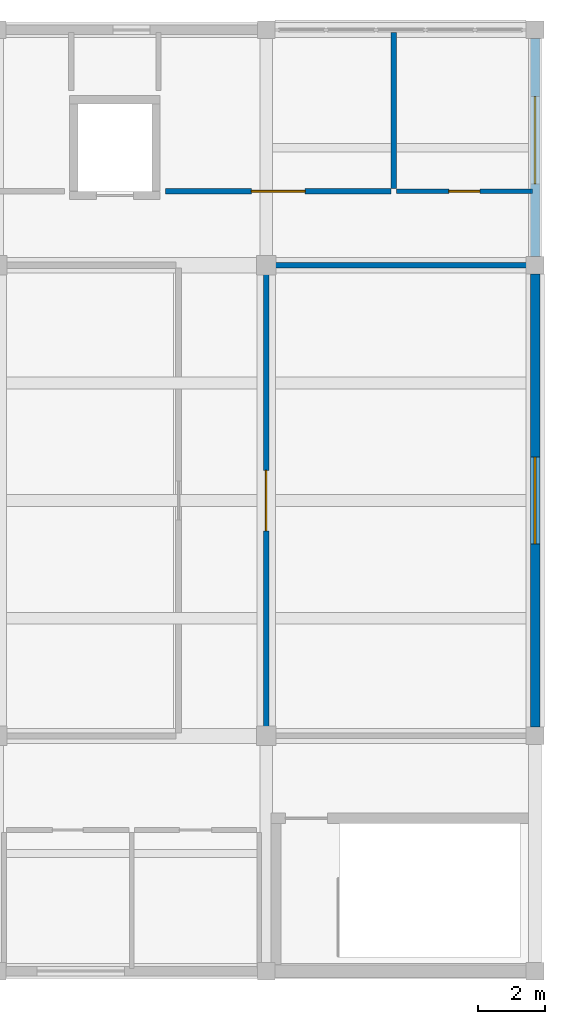
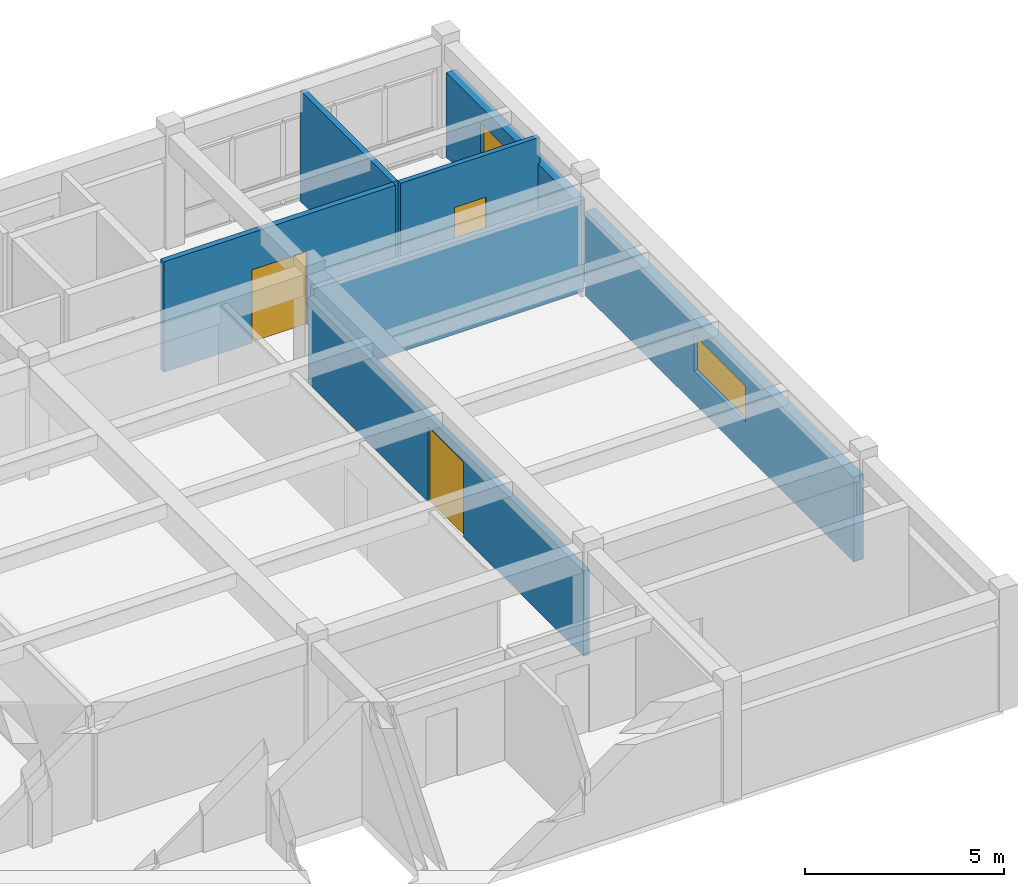
# One storey, part 6 of 7: 7 walls, 3 doors, 2 windows, 5 openings.
"""IFC4 building model written with IfcOpenShell, lengths in metres."""

import ifcopenshell
import ifcopenshell.guid

model = None  # the IFC model being written
_history = None  # IfcOwnerHistory: only IFC2X3 demands one
_inside = {}  # id of a spatial element -> (the spatial element, [elements in it])
_under = {}  # id of a project, library or spatial element -> (it, [spatial elements below it])
_declared = {}  # id of a project -> (the project, [libraries it declares])
_typed = {}  # id of a type object -> (the type object, [elements of that type])
_made_of = {}  # id of a material, layer set ... -> (it, [elements and type objects made of it])


def new_model(schema):
    """Start an empty IFC model of exactly this schema.

    Asked for "IFC4X3", IfcOpenShell would pick the latest addendum, in which some entities
    have other attributes; the version numbers below select the first issue.
    IFC2X3 requires an IfcOwnerHistory on every rooted entity: one is made here for all.
    """
    global model, _history
    if schema == "IFC4X3":
        model = ifcopenshell.file(schema_version=(4, 3, 0, 0))
    else:
        model = ifcopenshell.file(schema=schema)
    _inside.clear()
    _under.clear()
    _declared.clear()
    _typed.clear()
    _made_of.clear()
    _history = None
    if model.schema == "IFC2X3":
        org = make("IfcOrganization", Name="unknown")
        user = make(
            "IfcPersonAndOrganization",
            ThePerson=make("IfcPerson", FamilyName="unknown"),
            TheOrganization=org,
        )
        app = make(
            "IfcApplication",
            ApplicationDeveloper=org,
            Version="unknown",
            ApplicationFullName="unknown",
            ApplicationIdentifier="unknown",
        )
        _history = make(
            "IfcOwnerHistory",
            OwningUser=user,
            OwningApplication=app,
            ChangeAction="ADDED",
            CreationDate=0,
        )
    return model


def make(cls, **values):
    """One entity of the class cls with the attributes given. An attribute that is None is left unset."""
    return model.create_entity(
        cls, **{name: value for name, value in values.items() if value is not None}
    )


def rooted(cls, **values):
    """An entity with a GlobalId (a new one), such as an element, a storey or a relation."""
    return make(cls, GlobalId=ifcopenshell.guid.new(), OwnerHistory=_history, **values)


def si_unit(unit_type, name, prefix=None):
    """IfcSIUnit, for example si_unit("LENGTHUNIT", "METRE", prefix="MILLI")."""
    return make("IfcSIUnit", UnitType=unit_type, Prefix=prefix, Name=name)


def assignment(units):
    """IfcUnitAssignment: the units of a project."""
    return None if units is None else make("IfcUnitAssignment", Units=units)


def point(xyz):
    """IfcCartesianPoint."""
    return None if xyz is None else make("IfcCartesianPoint", Coordinates=xyz)


def direction(xyz):
    """IfcDirection."""
    return None if xyz is None else make("IfcDirection", DirectionRatios=xyz)


def frame(location, z_axis=None, x_axis=None):
    """IfcAxis2Placement3D, a coordinate frame: its origin and axes. An axis left out is left unset."""
    return make(
        "IfcAxis2Placement3D",
        Location=point(location),
        Axis=direction(z_axis),
        RefDirection=direction(x_axis),
    )


def frame_2d(location, x_axis=None):
    """IfcAxis2Placement2D, a coordinate frame in the plane: its origin and x axis."""
    return make(
        "IfcAxis2Placement2D", Location=point(location), RefDirection=direction(x_axis)
    )


def origin():
    """The frame at (0, 0, 0) with its axes left unset."""
    return frame((0.0, 0.0, 0.0))


def place(relative_to, where):
    """IfcLocalPlacement: puts the frame where relative to a parent placement (None: the world)."""
    return make(
        "IfcLocalPlacement", PlacementRelTo=relative_to, RelativePlacement=where
    )


def context(
    kind, dimensions, precision=None, world=None, true_north=None, identifier=None
):
    """IfcGeometricRepresentationContext, for example the 3D "Model" context."""
    return make(
        "IfcGeometricRepresentationContext",
        ContextIdentifier=identifier,
        ContextType=kind,
        CoordinateSpaceDimension=dimensions,
        Precision=precision,
        WorldCoordinateSystem=world,
        TrueNorth=true_north,
    )


def subcontext(parent, identifier, kind, view, scale=None):
    """IfcGeometricRepresentationSubContext, for example "Body" below "Model"."""
    return make(
        "IfcGeometricRepresentationSubContext",
        ContextIdentifier=identifier,
        ContextType=kind,
        ParentContext=parent,
        TargetScale=scale,
        TargetView=view,
    )


def project(units=None, contexts=None):
    """IfcProject with its units and contexts."""
    return rooted(
        "IfcProject",
        Name="project",
        RepresentationContexts=contexts,
        UnitsInContext=assignment(units),
    )


def spatial(cls, under=None, at=None, **own):
    """A site, building, storey or space (cls), placed at a placement, below another one or the project."""
    s = rooted(cls, ObjectPlacement=at, **own)
    if under is not None:
        _under.setdefault(under.id(), (under, []))[1].append(s)
    return s


def profile(cls, at=None, kind="AREA", **sizes):
    """A parametric profile (cls). Its sizes go by their IFC names, for example OverallWidth=200.0."""
    return make(cls, ProfileType=kind, Position=at, **sizes)


def rectangle(**sizes):
    """IfcRectangleProfileDef."""
    return profile("IfcRectangleProfileDef", **sizes)


def extrude(swept, where, along, depth):
    """IfcExtrudedAreaSolid: the profile swept, set in the frame where, extruded along a direction by depth."""
    return make(
        "IfcExtrudedAreaSolid",
        SweptArea=swept,
        Position=where,
        ExtrudedDirection=direction(along),
        Depth=depth,
    )


def shape(context_of_items, identifier, shape_type, items):
    """IfcShapeRepresentation: the items that make up one representation, for example the "Body"."""
    return make(
        "IfcShapeRepresentation",
        ContextOfItems=context_of_items,
        RepresentationIdentifier=identifier,
        RepresentationType=shape_type,
        Items=items,
    )


def material(Name=None, Category=None):
    """IfcMaterial."""
    return make("IfcMaterial", Name=Name, Category=Category)


def layer(
    of_material, thickness, ventilated=None, Name=None, Category=None, Priority=None
):
    """IfcMaterialLayer: one layer of a wall or slab, of a material (None: an air gap)."""
    return make(
        "IfcMaterialLayer",
        Material=of_material,
        LayerThickness=thickness,
        IsVentilated=ventilated,
        Name=Name,
        Category=Category,
        Priority=Priority,
    )


def layer_set(layers, Name=None):
    """IfcMaterialLayerSet."""
    return make("IfcMaterialLayerSet", MaterialLayers=layers, LayerSetName=Name)


def made_of(thing, what):
    """Note that an element or type object is made of a material, layer set ...; save() writes the relation."""
    if what is not None:
        _made_of.setdefault(what.id(), (what, []))[1].append(thing)
    return thing


def type_object(cls, material=None, **own):
    """A type object (cls), such as IfcWallType, which elements share."""
    return made_of(rooted(cls, **own), material)


def element(
    cls,
    number,
    at=None,
    inside=None,
    cuts=None,
    type_object=None,
    material=None,
    context=None,
    identifier="Body",
    shape_type=None,
    held_by="IfcProductDefinitionShape",
    body=None,
    shapes=None,
    **own,
):
    """One element of the class cls, such as IfcWall. Its Tag is "e" and its number.

    at: its placement. inside: the storey or other place that contains it. cuts: it is an
    opening in that element (IfcRelVoidsElement). A single representation is given by context,
    identifier, shape_type and body (its items); several are given by shapes. held_by: the class
    of the entity that holds the representations. save() writes the other relations.
    """
    e = rooted(cls, Tag="e%d" % number, ObjectPlacement=at, **own)
    if body is not None:
        shapes = [shape(context, identifier, shape_type, body)]
    if shapes is not None:
        e.Representation = make(held_by, Representations=shapes)
    if inside is not None:
        _inside.setdefault(inside.id(), (inside, []))[1].append(e)
    if cuts is not None:
        rooted(
            "IfcRelVoidsElement", RelatingBuildingElement=cuts, RelatedOpeningElement=e
        )
    if type_object is not None:
        _typed.setdefault(type_object.id(), (type_object, []))[1].append(e)
    return made_of(e, material)


def fill(opening, filler):
    """IfcRelFillsElement: the door or window that sits in an opening."""
    return rooted(
        "IfcRelFillsElement",
        RelatingOpeningElement=opening,
        RelatedBuildingElement=filler,
    )


def aggregate(whole, parts):
    """IfcRelAggregates: a whole, such as a stair, and the parts it consists of."""
    return rooted("IfcRelAggregates", RelatingObject=whole, RelatedObjects=parts)


def save(model, path):
    """Write the relations noted so far, then the file.

    IfcRelAggregates (storeys below a building ...), IfcRelContainedInSpatialStructure (elements
    in a storey), IfcRelDefinesByType, IfcRelAssociatesMaterial and IfcRelDeclares: one each for
    every whole, place, type object, material and project.
    """
    for whole, parts in _under.values():
        aggregate(whole, parts)
    for where, things in _inside.values():
        rooted(
            "IfcRelContainedInSpatialStructure",
            RelatedElements=things,
            RelatingStructure=where,
        )
    for kind, things in _typed.values():
        rooted("IfcRelDefinesByType", RelatedObjects=things, RelatingType=kind)
    for what, things in _made_of.values():
        rooted("IfcRelAssociatesMaterial", RelatedObjects=things, RelatingMaterial=what)
    for by, libraries in _declared.values():
        rooted("IfcRelDeclares", RelatingContext=by, RelatedDefinitions=libraries)
    model.write(path)


model = new_model("IFC4")

# Units and contexts
model_context = context("Model", 3, precision=1e-05, world=origin(), true_north=direction((0.0, 1.0)))
body_context = subcontext(model_context, "Body", "Model", "MODEL_VIEW")
ifc_project = project(units=[si_unit("LENGTHUNIT", "METRE"), si_unit("AREAUNIT", "SQUARE_METRE"), si_unit("VOLUMEUNIT", "CUBIC_METRE"), si_unit("PLANEANGLEUNIT", "RADIAN"), si_unit("MASSUNIT", "GRAM", prefix="KILO")], contexts=[model_context])

# Site, building, storey
site_placement = place(None, origin())
site = spatial("IfcSite", under=ifc_project, at=site_placement, CompositionType="ELEMENT")
building_placement = place(site_placement, origin())
building = spatial("IfcBuilding", under=site, at=building_placement, Name="Naurynzar Civic Courthouse", CompositionType="ELEMENT")
storey_placement = place(building_placement, frame((0.0, 0.0, 37.050048828125)))
storey = spatial("IfcBuildingStorey", under=building, at=storey_placement, Name="L10", CompositionType="ELEMENT", Elevation=37.050048828125)

# Wall
ifc_material_1 = material(Name="Acoustic Double-Stud Gypsum Partition")
ifc_layer_1 = layer(ifc_material_1, 0.169921875)
ifc_layer_set_1 = layer_set([ifc_layer_1], Name="WL-ACOUSTIC-170")
wall_type_1 = type_object("IfcWallType", Name="WL-ACOUSTIC-170", PredefinedType="PARTITIONING", material=ifc_layer_set_1)
wall_1_placement = place(storey_placement, frame((101.080078125, 65.0, 0.0), z_axis=(0.0, 0.0, 1.0), x_axis=(1.0, 0.0, 0.0)))
element("IfcWall", 1, at=wall_1_placement, inside=storey, type_object=wall_type_1, Name="V2 interior partition L10.843", PredefinedType="PARTITIONING", context=body_context, shape_type="SweptSolid", body=[
    extrude(rectangle(XDim=7.83984375, YDim=0.169921875, at=frame_2d((3.919921875, 0.0))), origin(), (0.0, 0.0, 1.0), 2.820068359375),
])

# Wall, opening, door
wall_2_placement = place(storey_placement, frame((101.0, 51.080078125, 0.0), z_axis=(0.0, 0.0, 1.0), x_axis=(0.0, 1.0, 0.0)))
wall_2 = element("IfcWall", 2, at=wall_2_placement, inside=storey, type_object=wall_type_1, Name="V2 interior partition L10.858", PredefinedType="PARTITIONING", context=body_context, shape_type="SweptSolid", body=[
    extrude(rectangle(XDim=13.83984375, YDim=0.169921875, at=frame_2d((6.919921875, 0.0))), origin(), (0.0, 0.0, 1.0), 2.619873046875),
])
opening_1_placement = place(wall_2_placement, frame((6.02001953125, 0.0, 0.0)))
opening_1 = element("IfcOpeningElement", 3, at=opening_1_placement, cuts=wall_2, Name="Opening D-213", PredefinedType="OPENING", context=body_context, shape_type="SweptSolid", body=[
    extrude(rectangle(XDim=1.800048828125, YDim=2.300048828125, at=frame_2d((0.89990234375, 1.14990234375))), frame((0.0, 0.094970703125, 0.0), z_axis=(0.0, -1.0, 0.0), x_axis=(1.0, 0.0, 0.0)), (0.0, 0.0, 1.0), 0.18994140625),
])
ifc_material_2 = material(Name="Acoustic Oak Timber Grade A", Category="wood")
door_type_1 = type_object("IfcDoorType", Name="DR-COURT-DBL-1800x2300", OperationType="DOUBLE_DOOR_SINGLE_SWING", PredefinedType="DOOR", material=ifc_material_2)
door_1_placement = place(opening_1_placement, origin())
door_1 = element("IfcDoor", 4, at=door_1_placement, inside=storey, type_object=door_type_1, Name="Interior door D-213 (Civil Chamber Courtroom L10-E)", OperationType="DOUBLE_DOOR_SINGLE_SWING", OverallHeight=2.300048828125, OverallWidth=1.800048828125, PredefinedType="DOOR", context=body_context, shape_type="SweptSolid", body=[
    extrude(rectangle(XDim=1.800048828125, YDim=2.300048828125, at=frame_2d((0.89990234375, 1.14990234375))), frame((0.0, 0.02490234375, 0.0), z_axis=(0.0, -1.0, 0.0), x_axis=(1.0, 0.0, 0.0)), (0.0, 0.0, 1.0), 0.050048828125),
])
fill(opening_1, door_1)

# Wall, opening, window
ifc_material_3 = material(Name="Precast concrete C40/50", Category="concrete")
ifc_layer_2 = layer(ifc_material_3, 0.280029296875)
ifc_layer_set_2 = layer_set([ifc_layer_2], Name="WL-EXT-280")
wall_type_2 = type_object("IfcWallType", Name="WL-EXT-280", PredefinedType="SOLIDWALL", material=ifc_layer_set_2)
wall_3_placement = place(storey_placement, frame((109.0, 71.737548828125, 0.0), z_axis=(0.0, 0.0, 1.0), x_axis=(0.0, -1.0, 0.0)))
wall_3 = element("IfcWall", 5, at=wall_3_placement, inside=storey, type_object=wall_type_2, Name="V2 exterior wall east L10.1.1", PredefinedType="SOLIDWALL", context=body_context, shape_type="SweptSolid", body=[
    extrude(rectangle(XDim=6.47509765625, YDim=0.280029296875, at=frame_2d((3.237548828125, 0.0))), origin(), (0.0, 0.0, 1.0), 2.599853515625),
])
opening_2_placement = place(wall_3_placement, frame((1.717041015625, 0.0, 1.0)))
opening_2 = element("IfcOpeningElement", 6, at=opening_2_placement, cuts=wall_3, Name="Opening WN-17", PredefinedType="OPENING", context=body_context, shape_type="SweptSolid", body=[
    extrude(rectangle(XDim=2.60009765625, YDim=1.10009765625, at=frame_2d((1.300048828125, 0.550048828125))), frame((0.0, 0.14990234375, 0.0), z_axis=(0.0, -1.0, 0.0), x_axis=(1.0, 0.0, 0.0)), (0.0, 0.0, 1.0), 0.300048828125),
])
ifc_material_4 = material(Name="Tempered Laminated Low-E Glass", Category="glass")
window_type = type_object("IfcWindowType", Name="WIN-CLER-2600x1100", PartitioningType="DOUBLE_PANEL_VERTICAL", PredefinedType="WINDOW", material=ifc_material_4)
window_1_placement = place(opening_2_placement, origin())
window_1 = element("IfcWindow", 7, at=window_1_placement, inside=storey, type_object=window_type, Name="V2 window 136 L10", OverallHeight=1.10009765625, OverallWidth=2.60009765625, PartitioningType="SINGLE_PANEL", PredefinedType="WINDOW", context=body_context, shape_type="SweptSolid", body=[
    extrude(rectangle(XDim=2.60009765625, YDim=1.10009765625, at=frame_2d((1.300048828125, 0.550048828125))), frame((0.0, 0.030029296875, 0.0), z_axis=(0.0, -1.0, 0.0), x_axis=(1.0, 0.0, 0.0)), (0.0, 0.0, 1.0), 0.06005859375),
])
fill(opening_2, window_1)

wall_4_placement = place(storey_placement, frame((109.0, 64.737548828125, 0.0), z_axis=(0.0, 0.0, 1.0), x_axis=(0.0, -1.0, 0.0)))
wall_4 = element("IfcWall", 8, at=wall_4_placement, inside=storey, type_object=wall_type_2, Name="V2 exterior wall east L10.2.1", PredefinedType="SOLIDWALL", context=body_context, shape_type="SweptSolid", body=[
    extrude(rectangle(XDim=13.47509765625, YDim=0.280029296875, at=frame_2d((6.737548828125, 0.0))), origin(), (0.0, 0.0, 1.0), 2.599853515625),
])
opening_3_placement = place(wall_4_placement, frame((5.4375, 0.0, 1.0)))
opening_3 = element("IfcOpeningElement", 9, at=opening_3_placement, cuts=wall_4, Name="Opening WN-17", PredefinedType="OPENING", context=body_context, shape_type="SweptSolid", body=[
    extrude(rectangle(XDim=2.60009765625, YDim=1.10009765625, at=frame_2d((1.300048828125, 0.550048828125))), frame((0.0, 0.14990234375, 0.0), z_axis=(0.0, -1.0, 0.0), x_axis=(1.0, 0.0, 0.0)), (0.0, 0.0, 1.0), 0.300048828125),
])
window_2_placement = place(opening_3_placement, origin())
window_2 = element("IfcWindow", 10, at=window_2_placement, inside=storey, type_object=window_type, Name="V2 window 137 L10", OverallHeight=1.10009765625, OverallWidth=2.60009765625, PartitioningType="SINGLE_PANEL", PredefinedType="WINDOW", context=body_context, shape_type="SweptSolid", body=[
    extrude(rectangle(XDim=2.60009765625, YDim=1.10009765625, at=frame_2d((1.300048828125, 0.550048828125))), frame((0.0, 0.030029296875, 0.0), z_axis=(0.0, -1.0, 0.0), x_axis=(1.0, 0.0, 0.0)), (0.0, 0.0, 1.0), 0.06005859375),
])
fill(opening_3, window_2)

# Wall, opening, door
ifc_material_5 = material(Name="Insulated Metal-Stud Gypsum Partition")
ifc_layer_3 = layer(ifc_material_5, 0.159912109375)
ifc_layer_set_3 = layer_set([ifc_layer_3], Name="WL-PART-CHAMB-160")
wall_type_3 = type_object("IfcWallType", Name="WL-PART-CHAMB-160", PredefinedType="PARTITIONING", material=ifc_layer_set_3)
wall_5_placement = place(storey_placement, frame((98.0, 67.199951171875, 0.0), z_axis=(0.0, 0.0, 1.0), x_axis=(1.0, 0.0, 0.0)))
wall_5 = element("IfcWall", 11, at=wall_5_placement, inside=storey, type_object=wall_type_3, Name="V2 interior partition L10.847", PredefinedType="PARTITIONING", context=body_context, shape_type="SweptSolid", body=[
    extrude(rectangle(XDim=6.719970703125, YDim=0.159912109375, at=frame_2d((3.35986328125, 0.0))), origin(), (0.0, 0.0, 1.0), 3.389892578125),
])
opening_4_placement = place(wall_5_placement, frame((2.56005859375, 0.0, 0.0)))
opening_4 = element("IfcOpeningElement", 12, at=opening_4_placement, cuts=wall_5, Name="Opening D-217", PredefinedType="OPENING", context=body_context, shape_type="SweptSolid", body=[
    extrude(rectangle(XDim=1.60009765625, YDim=2.25, at=frame_2d((0.800048828125, 1.125))), frame((0.0, 0.08984375, 0.0), z_axis=(0.0, -1.0, 0.0), x_axis=(1.0, 0.0, 0.0)), (0.0, 0.0, 1.0), 0.179931640625),
])
ifc_material_6 = material(Name="Acoustic Oak Timber Grade A", Category="wood")
door_type_2 = type_object("IfcDoorType", Name="DR-SUITE-1600x2250", OperationType="DOUBLE_DOOR_SINGLE_SWING", PredefinedType="DOOR", material=ifc_material_6)
door_2_placement = place(opening_4_placement, origin())
door_2 = element("IfcDoor", 13, at=door_2_placement, inside=storey, type_object=door_type_2, Name="Interior door D-217 (Senior Judges' Chambers L10-E)", OperationType="DOUBLE_DOOR_SINGLE_SWING", OverallHeight=2.25, OverallWidth=1.60009765625, PredefinedType="DOOR", context=body_context, shape_type="SweptSolid", body=[
    extrude(rectangle(XDim=1.60009765625, YDim=2.25, at=frame_2d((0.800048828125, 1.125))), frame((0.0, 0.02490234375, 0.0), z_axis=(0.0, -1.0, 0.0), x_axis=(1.0, 0.0, 0.0)), (0.0, 0.0, 1.0), 0.050048828125),
])
fill(opening_4, door_2)

# Wall
wall_6_placement = place(storey_placement, frame((104.800048828125, 67.280029296875, 0.0), z_axis=(0.0, 0.0, 1.0), x_axis=(0.0, 1.0, 0.0)))
element("IfcWall", 14, at=wall_6_placement, inside=storey, type_object=wall_type_3, Name="V2 interior partition L10.859", PredefinedType="PARTITIONING", context=body_context, shape_type="SweptSolid", body=[
    extrude(rectangle(XDim=4.639892578125, YDim=0.159912109375, at=frame_2d((2.31982421875, 0.0))), origin(), (0.0, 0.0, 1.0), 3.389892578125),
])

# Wall, opening, door
ifc_material_7 = material(Name="Moisture-Resistant Plumbing Partition")
ifc_layer_4 = layer(ifc_material_7, 0.139892578125)
ifc_layer_set_4 = layer_set([ifc_layer_4], Name="WL-PART-WC-140")
wall_type_4 = type_object("IfcWallType", Name="WL-PART-WC-140", PredefinedType="PLUMBINGWALL", material=ifc_layer_set_4)
wall_7_placement = place(storey_placement, frame((104.8798828125, 67.199951171875, 0.0), z_axis=(0.0, 0.0, 1.0), x_axis=(1.0, 0.0, 0.0)))
wall_7 = element("IfcWall", 15, at=wall_7_placement, inside=storey, type_object=wall_type_4, Name="V2 interior partition L10.848", PredefinedType="PLUMBINGWALL", context=body_context, shape_type="SweptSolid", body=[
    extrude(rectangle(XDim=4.0400390625, YDim=0.139892578125, at=frame_2d((2.02001953125, 0.0))), origin(), (0.0, 0.0, 1.0), 3.389892578125),
])
opening_5_placement = place(wall_7_placement, frame((1.56005859375, 0.0, 0.0)))
opening_5 = element("IfcOpeningElement", 16, at=opening_5_placement, cuts=wall_7, Name="Opening D-218", PredefinedType="OPENING", context=body_context, shape_type="SweptSolid", body=[
    extrude(rectangle(XDim=0.919921875, YDim=2.10009765625, at=frame_2d((0.4599609375, 1.050048828125))), frame((0.0, 0.079833984375, 0.0), z_axis=(0.0, -1.0, 0.0), x_axis=(1.0, 0.0, 0.0)), (0.0, 0.0, 1.0), 0.159912109375),
])
ifc_material_8 = material(Name="Acoustic Oak Timber Grade A", Category="wood")
door_type_3 = type_object("IfcDoorType", Name="DR-WC-STD-920x2100", OperationType="NOTDEFINED", PredefinedType="DOOR", material=ifc_material_8)
door_3_placement = place(opening_5_placement, origin())
door_3 = element("IfcDoor", 17, at=door_3_placement, inside=storey, type_object=door_type_3, Name="Interior door D-218 (Judicial Staff WC V2)", OperationType="SINGLE_SWING_RIGHT", OverallHeight=2.10009765625, OverallWidth=0.919921875, PredefinedType="DOOR", context=body_context, shape_type="SweptSolid", body=[
    extrude(rectangle(XDim=0.919921875, YDim=2.10009765625, at=frame_2d((0.4599609375, 1.050048828125))), frame((0.0, 0.02490234375, 0.0), z_axis=(0.0, -1.0, 0.0), x_axis=(1.0, 0.0, 0.0)), (0.0, 0.0, 1.0), 0.050048828125),
])
fill(opening_5, door_3)

save(model, "model.ifc")
